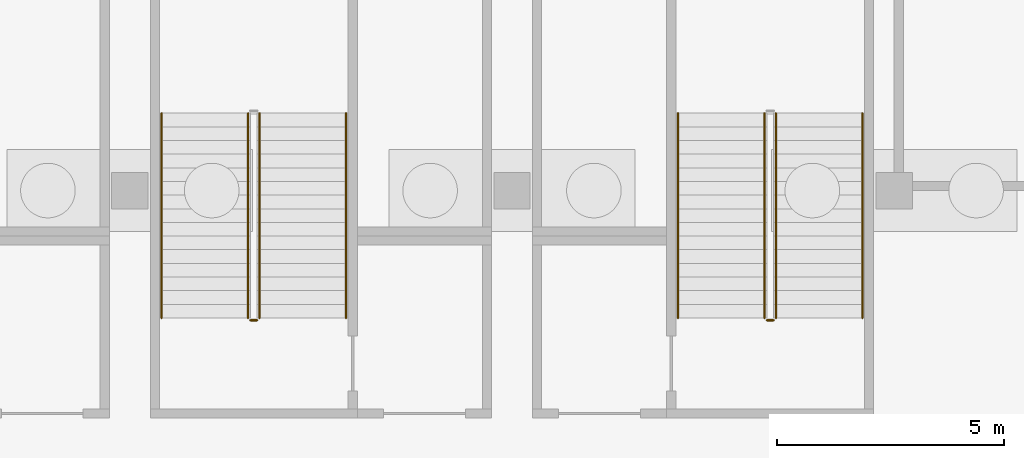
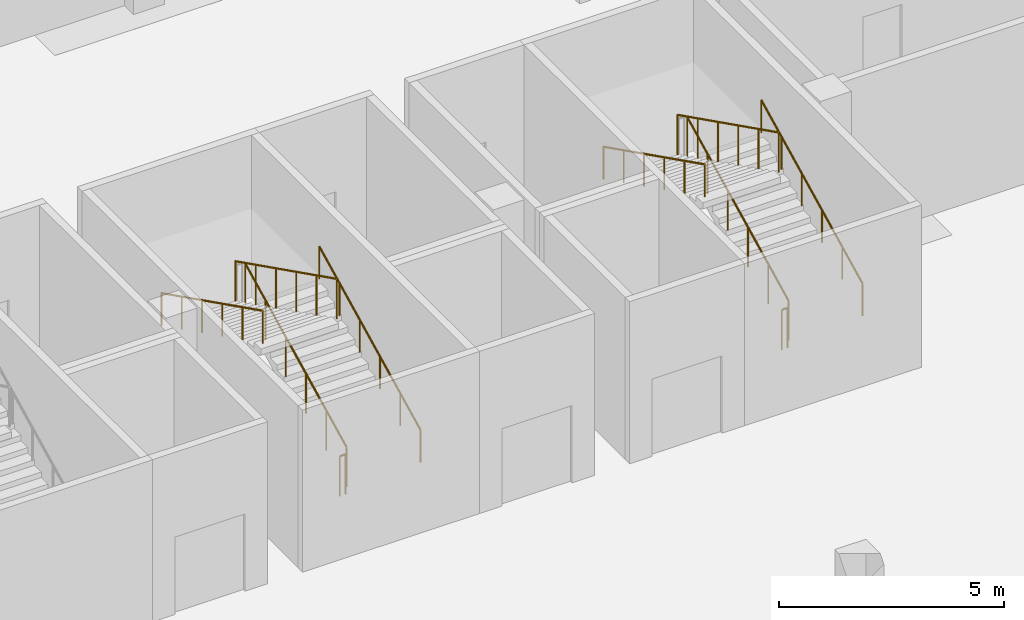
# One storey, part 37 of 46: 10 railings.
"""IFC4 building model written with IfcOpenShell, lengths in metres."""

import ifcopenshell
import ifcopenshell.guid

model = None  # the IFC model being written
_history = None  # IfcOwnerHistory: only IFC2X3 demands one
_inside = {}  # id of a spatial element -> (the spatial element, [elements in it])
_under = {}  # id of a project, library or spatial element -> (it, [spatial elements below it])
_declared = {}  # id of a project -> (the project, [libraries it declares])
_typed = {}  # id of a type object -> (the type object, [elements of that type])
_made_of = {}  # id of a material, layer set ... -> (it, [elements and type objects made of it])


def new_model(schema):
    """Start an empty IFC model of exactly this schema.

    Asked for "IFC4X3", IfcOpenShell would pick the latest addendum, in which some entities
    have other attributes; the version numbers below select the first issue.
    IFC2X3 requires an IfcOwnerHistory on every rooted entity: one is made here for all.
    """
    global model, _history
    if schema == "IFC4X3":
        model = ifcopenshell.file(schema_version=(4, 3, 0, 0))
    else:
        model = ifcopenshell.file(schema=schema)
    _inside.clear()
    _under.clear()
    _declared.clear()
    _typed.clear()
    _made_of.clear()
    _history = None
    if model.schema == "IFC2X3":
        org = make("IfcOrganization", Name="unknown")
        user = make(
            "IfcPersonAndOrganization",
            ThePerson=make("IfcPerson", FamilyName="unknown"),
            TheOrganization=org,
        )
        app = make(
            "IfcApplication",
            ApplicationDeveloper=org,
            Version="unknown",
            ApplicationFullName="unknown",
            ApplicationIdentifier="unknown",
        )
        _history = make(
            "IfcOwnerHistory",
            OwningUser=user,
            OwningApplication=app,
            ChangeAction="ADDED",
            CreationDate=0,
        )
    return model


def make(cls, **values):
    """One entity of the class cls with the attributes given. An attribute that is None is left unset."""
    return model.create_entity(
        cls, **{name: value for name, value in values.items() if value is not None}
    )


def rooted(cls, **values):
    """An entity with a GlobalId (a new one), such as an element, a storey or a relation."""
    return make(cls, GlobalId=ifcopenshell.guid.new(), OwnerHistory=_history, **values)


def si_unit(unit_type, name, prefix=None):
    """IfcSIUnit, for example si_unit("LENGTHUNIT", "METRE", prefix="MILLI")."""
    return make("IfcSIUnit", UnitType=unit_type, Prefix=prefix, Name=name)


def assignment(units):
    """IfcUnitAssignment: the units of a project."""
    return None if units is None else make("IfcUnitAssignment", Units=units)


def point(xyz):
    """IfcCartesianPoint."""
    return None if xyz is None else make("IfcCartesianPoint", Coordinates=xyz)


def direction(xyz):
    """IfcDirection."""
    return None if xyz is None else make("IfcDirection", DirectionRatios=xyz)


def frame(location, z_axis=None, x_axis=None):
    """IfcAxis2Placement3D, a coordinate frame: its origin and axes. An axis left out is left unset."""
    return make(
        "IfcAxis2Placement3D",
        Location=point(location),
        Axis=direction(z_axis),
        RefDirection=direction(x_axis),
    )


def frame_2d(location, x_axis=None):
    """IfcAxis2Placement2D, a coordinate frame in the plane: its origin and x axis."""
    return make(
        "IfcAxis2Placement2D", Location=point(location), RefDirection=direction(x_axis)
    )


def origin():
    """The frame at (0, 0, 0) with its axes left unset."""
    return frame((0.0, 0.0, 0.0))


def origin_2d():
    """The frame at (0, 0) in the plane with its x axis left unset."""
    return frame_2d((0.0, 0.0))


def place(relative_to, where):
    """IfcLocalPlacement: puts the frame where relative to a parent placement (None: the world)."""
    return make(
        "IfcLocalPlacement", PlacementRelTo=relative_to, RelativePlacement=where
    )


def context(
    kind, dimensions, precision=None, world=None, true_north=None, identifier=None
):
    """IfcGeometricRepresentationContext, for example the 3D "Model" context."""
    return make(
        "IfcGeometricRepresentationContext",
        ContextIdentifier=identifier,
        ContextType=kind,
        CoordinateSpaceDimension=dimensions,
        Precision=precision,
        WorldCoordinateSystem=world,
        TrueNorth=true_north,
    )


def subcontext(parent, identifier, kind, view, scale=None):
    """IfcGeometricRepresentationSubContext, for example "Body" below "Model"."""
    return make(
        "IfcGeometricRepresentationSubContext",
        ContextIdentifier=identifier,
        ContextType=kind,
        ParentContext=parent,
        TargetScale=scale,
        TargetView=view,
    )


def project(units=None, contexts=None):
    """IfcProject with its units and contexts."""
    return rooted(
        "IfcProject",
        Name="project",
        RepresentationContexts=contexts,
        UnitsInContext=assignment(units),
    )


def spatial(cls, under=None, at=None, **own):
    """A site, building, storey or space (cls), placed at a placement, below another one or the project."""
    s = rooted(cls, ObjectPlacement=at, **own)
    if under is not None:
        _under.setdefault(under.id(), (under, []))[1].append(s)
    return s


def profile(cls, at=None, kind="AREA", **sizes):
    """A parametric profile (cls). Its sizes go by their IFC names, for example OverallWidth=200.0."""
    return make(cls, ProfileType=kind, Position=at, **sizes)


def circle(**sizes):
    """IfcCircleProfileDef."""
    return profile("IfcCircleProfileDef", **sizes)


def extrude(swept, where, along, depth):
    """IfcExtrudedAreaSolid: the profile swept, set in the frame where, extruded along a direction by depth."""
    return make(
        "IfcExtrudedAreaSolid",
        SweptArea=swept,
        Position=where,
        ExtrudedDirection=direction(along),
        Depth=depth,
    )


def shape(context_of_items, identifier, shape_type, items):
    """IfcShapeRepresentation: the items that make up one representation, for example the "Body"."""
    return make(
        "IfcShapeRepresentation",
        ContextOfItems=context_of_items,
        RepresentationIdentifier=identifier,
        RepresentationType=shape_type,
        Items=items,
    )


def material(Name=None, Category=None):
    """IfcMaterial."""
    return make("IfcMaterial", Name=Name, Category=Category)


def made_of(thing, what):
    """Note that an element or type object is made of a material, layer set ...; save() writes the relation."""
    if what is not None:
        _made_of.setdefault(what.id(), (what, []))[1].append(thing)
    return thing


def type_object(cls, material=None, **own):
    """A type object (cls), such as IfcWallType, which elements share."""
    return made_of(rooted(cls, **own), material)


def element(
    cls,
    number,
    at=None,
    inside=None,
    cuts=None,
    type_object=None,
    material=None,
    context=None,
    identifier="Body",
    shape_type=None,
    held_by="IfcProductDefinitionShape",
    body=None,
    shapes=None,
    **own,
):
    """One element of the class cls, such as IfcWall. Its Tag is "e" and its number.

    at: its placement. inside: the storey or other place that contains it. cuts: it is an
    opening in that element (IfcRelVoidsElement). A single representation is given by context,
    identifier, shape_type and body (its items); several are given by shapes. held_by: the class
    of the entity that holds the representations. save() writes the other relations.
    """
    e = rooted(cls, Tag="e%d" % number, ObjectPlacement=at, **own)
    if body is not None:
        shapes = [shape(context, identifier, shape_type, body)]
    if shapes is not None:
        e.Representation = make(held_by, Representations=shapes)
    if inside is not None:
        _inside.setdefault(inside.id(), (inside, []))[1].append(e)
    if cuts is not None:
        rooted(
            "IfcRelVoidsElement", RelatingBuildingElement=cuts, RelatedOpeningElement=e
        )
    if type_object is not None:
        _typed.setdefault(type_object.id(), (type_object, []))[1].append(e)
    return made_of(e, material)


def aggregate(whole, parts):
    """IfcRelAggregates: a whole, such as a stair, and the parts it consists of."""
    return rooted("IfcRelAggregates", RelatingObject=whole, RelatedObjects=parts)


def save(model, path):
    """Write the relations noted so far, then the file.

    IfcRelAggregates (storeys below a building ...), IfcRelContainedInSpatialStructure (elements
    in a storey), IfcRelDefinesByType, IfcRelAssociatesMaterial and IfcRelDeclares: one each for
    every whole, place, type object, material and project.
    """
    for whole, parts in _under.values():
        aggregate(whole, parts)
    for where, things in _inside.values():
        rooted(
            "IfcRelContainedInSpatialStructure",
            RelatedElements=things,
            RelatingStructure=where,
        )
    for kind, things in _typed.values():
        rooted("IfcRelDefinesByType", RelatedObjects=things, RelatingType=kind)
    for what, things in _made_of.values():
        rooted("IfcRelAssociatesMaterial", RelatedObjects=things, RelatingMaterial=what)
    for by, libraries in _declared.values():
        rooted("IfcRelDeclares", RelatingContext=by, RelatedDefinitions=libraries)
    model.write(path)


model = new_model("IFC4")

# Units and contexts
model_context = context("Model", 3, precision=1e-05, world=origin(), true_north=direction((0.0, 1.0)))
body_context = subcontext(model_context, "Body", "Model", "MODEL_VIEW")
ifc_project = project(units=[si_unit("LENGTHUNIT", "METRE"), si_unit("AREAUNIT", "SQUARE_METRE"), si_unit("VOLUMEUNIT", "CUBIC_METRE"), si_unit("PLANEANGLEUNIT", "RADIAN"), si_unit("MASSUNIT", "GRAM", prefix="KILO")], contexts=[model_context])

# Site, building, storey
site_placement = place(None, origin())
site = spatial("IfcSite", under=ifc_project, at=site_placement, CompositionType="ELEMENT")
building_placement = place(site_placement, origin())
building = spatial("IfcBuilding", under=site, at=building_placement, Name="Tamra Quay Hotel Tower", CompositionType="ELEMENT")
storey_placement = place(building_placement, frame((0.0, 0.0, -12.0)))
storey = spatial("IfcBuildingStorey", under=building, at=storey_placement, Name="B3", CompositionType="ELEMENT", Elevation=-12.0)

# Railings
ifc_material_1 = material(Name="Basement stair guard 1100")
railing_type_1 = type_object("IfcRailingType", Name="Basement stair guard 1100", PredefinedType="GUARDRAIL", material=ifc_material_1)
railing_1_placement = place(storey_placement, frame((-52.64990234375, 45.199951171875, 0.14990234375)))
element("IfcRailing", 1, at=railing_1_placement, inside=storey, type_object=railing_type_1, Name="BSG", PredefinedType="GUARDRAIL", context=body_context, shape_type="SweptSolid", body=[
    extrude(circle(Radius=0.02392578125, at=origin_2d()), frame((0.0, 0.0, 1.076171875), z_axis=(0.0, 0.894427191, 0.4472135955), x_axis=(-1.0, 0.0, 0.0)), (0.0, 0.0, 1.0), 5.03125),
    extrude(circle(Radius=0.02099609375, at=origin_2d()), origin(), (0.0, 0.0, 1.0), 1.052001953125),
    extrude(circle(Radius=0.02099609375, at=origin_2d()), frame((0.0, 0.89990234375, 0.449951171875)), (0.0, 0.0, 1.0), 1.052001953125),
    extrude(circle(Radius=0.02099609375, at=origin_2d()), frame((0.0, 1.800048828125, 0.89990234375)), (0.0, 0.0, 1.0), 1.052001953125),
    extrude(circle(Radius=0.02099609375, at=origin_2d()), frame((0.0, 2.699951171875, 1.35009765625)), (0.0, 0.0, 1.0), 1.052001953125),
    extrude(circle(Radius=0.02099609375, at=origin_2d()), frame((0.0, 3.60009765625, 1.800048828125)), (0.0, 0.0, 1.0), 1.052001953125),
    extrude(circle(Radius=0.02099609375, at=origin_2d()), frame((0.0, 4.5, 2.25)), (0.0, 0.0, 1.0), 1.052001953125),
])
railing_2_placement = place(storey_placement, frame((-52.89990234375, 49.699951171875, 2.550048828125)))
element("IfcRailing", 2, at=railing_2_placement, inside=storey, type_object=railing_type_1, Name="BSG", PredefinedType="GUARDRAIL", context=body_context, shape_type="SweptSolid", body=[
    extrude(circle(Radius=0.02392578125, at=origin_2d()), frame((0.0, 0.0, 1.076171875), z_axis=(0.0, -0.894427191, 0.4472135955), x_axis=(1.0, 0.0, 0.0)), (0.0, 0.0, 1.0), 5.03125),
    extrude(circle(Radius=0.02099609375, at=origin_2d()), origin(), (0.0, 0.0, 1.0), 1.052001953125),
    extrude(circle(Radius=0.02099609375, at=origin_2d()), frame((0.0, -0.89990234375, 0.449951171875)), (0.0, 0.0, 1.0), 1.052001953125),
    extrude(circle(Radius=0.02099609375, at=origin_2d()), frame((0.0, -1.800048828125, 0.89990234375)), (0.0, 0.0, 1.0), 1.052001953125),
    extrude(circle(Radius=0.02099609375, at=origin_2d()), frame((0.0, -2.699951171875, 1.35009765625)), (0.0, 0.0, 1.0), 1.052001953125),
    extrude(circle(Radius=0.02099609375, at=origin_2d()), frame((0.0, -3.60009765625, 1.800048828125)), (0.0, 0.0, 1.0), 1.052001953125),
    extrude(circle(Radius=0.02099609375, at=origin_2d()), frame((0.0, -4.5, 2.25)), (0.0, 0.0, 1.0), 1.052001953125),
])
railing_3_placement = place(storey_placement, frame((-52.699951171875, 45.14990234375, 0.0)))
element("IfcRailing", 3, at=railing_3_placement, inside=storey, type_object=railing_type_1, Name="BSG", PredefinedType="GUARDRAIL", context=body_context, shape_type="SweptSolid", body=[
    extrude(circle(Radius=0.02392578125, at=origin_2d()), frame((0.0, 0.0, 1.076171875), z_axis=(-1.0, 0.0, 0.0), x_axis=(0.0, -1.0, 0.0)), (0.0, 0.0, 1.0), 0.150146484375),
    extrude(circle(Radius=0.02099609375, at=origin_2d()), origin(), (0.0, 0.0, 1.0), 1.052001953125),
    extrude(circle(Radius=0.02099609375, at=origin_2d()), frame((-0.150146484375, 0.0, 0.0)), (0.0, 0.0, 1.0), 1.052001953125),
])
railing_4_placement = place(storey_placement, frame((-41.300048828125, 45.199951171875, 0.14990234375)))
element("IfcRailing", 4, at=railing_4_placement, inside=storey, type_object=railing_type_1, Name="BSG", PredefinedType="GUARDRAIL", context=body_context, shape_type="SweptSolid", body=[
    extrude(circle(Radius=0.02392578125, at=origin_2d()), frame((0.0, 0.0, 1.076171875), z_axis=(0.0, 0.894427191, 0.4472135955), x_axis=(-1.0, 0.0, 0.0)), (0.0, 0.0, 1.0), 5.03125),
    extrude(circle(Radius=0.02099609375, at=origin_2d()), origin(), (0.0, 0.0, 1.0), 1.052001953125),
    extrude(circle(Radius=0.02099609375, at=origin_2d()), frame((0.0, 0.89990234375, 0.449951171875)), (0.0, 0.0, 1.0), 1.052001953125),
    extrude(circle(Radius=0.02099609375, at=origin_2d()), frame((0.0, 1.800048828125, 0.89990234375)), (0.0, 0.0, 1.0), 1.052001953125),
    extrude(circle(Radius=0.02099609375, at=origin_2d()), frame((0.0, 2.699951171875, 1.35009765625)), (0.0, 0.0, 1.0), 1.052001953125),
    extrude(circle(Radius=0.02099609375, at=origin_2d()), frame((0.0, 3.60009765625, 1.800048828125)), (0.0, 0.0, 1.0), 1.052001953125),
    extrude(circle(Radius=0.02099609375, at=origin_2d()), frame((0.0, 4.5, 2.25)), (0.0, 0.0, 1.0), 1.052001953125),
])
railing_5_placement = place(storey_placement, frame((-41.550048828125, 49.699951171875, 2.550048828125)))
element("IfcRailing", 5, at=railing_5_placement, inside=storey, type_object=railing_type_1, Name="BSG", PredefinedType="GUARDRAIL", context=body_context, shape_type="SweptSolid", body=[
    extrude(circle(Radius=0.02392578125, at=origin_2d()), frame((0.0, 0.0, 1.076171875), z_axis=(0.0, -0.894427191, 0.4472135955), x_axis=(1.0, 0.0, 0.0)), (0.0, 0.0, 1.0), 5.03125),
    extrude(circle(Radius=0.02099609375, at=origin_2d()), origin(), (0.0, 0.0, 1.0), 1.052001953125),
    extrude(circle(Radius=0.02099609375, at=origin_2d()), frame((0.0, -0.89990234375, 0.449951171875)), (0.0, 0.0, 1.0), 1.052001953125),
    extrude(circle(Radius=0.02099609375, at=origin_2d()), frame((0.0, -1.800048828125, 0.89990234375)), (0.0, 0.0, 1.0), 1.052001953125),
    extrude(circle(Radius=0.02099609375, at=origin_2d()), frame((0.0, -2.699951171875, 1.35009765625)), (0.0, 0.0, 1.0), 1.052001953125),
    extrude(circle(Radius=0.02099609375, at=origin_2d()), frame((0.0, -3.60009765625, 1.800048828125)), (0.0, 0.0, 1.0), 1.052001953125),
    extrude(circle(Radius=0.02099609375, at=origin_2d()), frame((0.0, -4.5, 2.25)), (0.0, 0.0, 1.0), 1.052001953125),
])
railing_6_placement = place(storey_placement, frame((-41.35009765625, 45.14990234375, 0.0)))
element("IfcRailing", 6, at=railing_6_placement, inside=storey, type_object=railing_type_1, Name="BSG", PredefinedType="GUARDRAIL", context=body_context, shape_type="SweptSolid", body=[
    extrude(circle(Radius=0.02392578125, at=origin_2d()), frame((0.0, 0.0, 1.076171875), z_axis=(-1.0, 0.0, 0.0), x_axis=(0.0, -1.0, 0.0)), (0.0, 0.0, 1.0), 0.14990234375),
    extrude(circle(Radius=0.02099609375, at=origin_2d()), origin(), (0.0, 0.0, 1.0), 1.052001953125),
    extrude(circle(Radius=0.02099609375, at=origin_2d()), frame((-0.14990234375, 0.0, 0.0)), (0.0, 0.0, 1.0), 1.052001953125),
])
ifc_material_2 = material(Name="Basement stair handrail 900")
railing_type_2 = type_object("IfcRailingType", Name="Basement stair handrail 900", PredefinedType="HANDRAIL", material=ifc_material_2)
railing_7_placement = place(storey_placement, frame((-50.75, 45.199951171875, 0.14990234375)))
element("IfcRailing", 7, at=railing_7_placement, inside=storey, type_object=railing_type_2, Name="BSH", PredefinedType="HANDRAIL", context=body_context, shape_type="SweptSolid", body=[
    extrude(circle(Radius=0.02392578125, at=origin_2d()), frame((0.0, 0.0, 0.8759765625), z_axis=(0.0, 0.894427191, 0.4472135955), x_axis=(-1.0, 0.0, 0.0)), (0.0, 0.0, 1.0), 5.03125),
    extrude(circle(Radius=0.02099609375, at=origin_2d()), origin(), (0.0, 0.0, 1.0), 0.851806640625),
    extrude(circle(Radius=0.02099609375, at=origin_2d()), frame((0.0, 0.89990234375, 0.449951171875)), (0.0, 0.0, 1.0), 0.851806640625),
    extrude(circle(Radius=0.02099609375, at=origin_2d()), frame((0.0, 1.800048828125, 0.89990234375)), (0.0, 0.0, 1.0), 0.851806640625),
    extrude(circle(Radius=0.02099609375, at=origin_2d()), frame((0.0, 2.699951171875, 1.35009765625)), (0.0, 0.0, 1.0), 0.851806640625),
    extrude(circle(Radius=0.02099609375, at=origin_2d()), frame((0.0, 3.60009765625, 1.800048828125)), (0.0, 0.0, 1.0), 0.851806640625),
    extrude(circle(Radius=0.02099609375, at=origin_2d()), frame((0.0, 4.5, 2.25)), (0.0, 0.0, 1.0), 0.851806640625),
])
railing_8_placement = place(storey_placement, frame((-54.800048828125, 49.699951171875, 2.550048828125)))
element("IfcRailing", 8, at=railing_8_placement, inside=storey, type_object=railing_type_2, Name="BSH", PredefinedType="HANDRAIL", context=body_context, shape_type="SweptSolid", body=[
    extrude(circle(Radius=0.02392578125, at=origin_2d()), frame((0.0, 0.0, 0.8759765625), z_axis=(0.0, -0.894427191, 0.4472135955), x_axis=(1.0, 0.0, 0.0)), (0.0, 0.0, 1.0), 5.03125),
    extrude(circle(Radius=0.02099609375, at=origin_2d()), origin(), (0.0, 0.0, 1.0), 0.851806640625),
    extrude(circle(Radius=0.02099609375, at=origin_2d()), frame((0.0, -0.89990234375, 0.449951171875)), (0.0, 0.0, 1.0), 0.851806640625),
    extrude(circle(Radius=0.02099609375, at=origin_2d()), frame((0.0, -1.800048828125, 0.89990234375)), (0.0, 0.0, 1.0), 0.851806640625),
    extrude(circle(Radius=0.02099609375, at=origin_2d()), frame((0.0, -2.699951171875, 1.35009765625)), (0.0, 0.0, 1.0), 0.851806640625),
    extrude(circle(Radius=0.02099609375, at=origin_2d()), frame((0.0, -3.60009765625, 1.800048828125)), (0.0, 0.0, 1.0), 0.851806640625),
    extrude(circle(Radius=0.02099609375, at=origin_2d()), frame((0.0, -4.5, 2.25)), (0.0, 0.0, 1.0), 0.851806640625),
])
railing_9_placement = place(storey_placement, frame((-39.39990234375, 45.199951171875, 0.14990234375)))
element("IfcRailing", 9, at=railing_9_placement, inside=storey, type_object=railing_type_2, Name="BSH", PredefinedType="HANDRAIL", context=body_context, shape_type="SweptSolid", body=[
    extrude(circle(Radius=0.02392578125, at=origin_2d()), frame((0.0, 0.0, 0.8759765625), z_axis=(0.0, 0.894427191, 0.4472135955), x_axis=(-1.0, 0.0, 0.0)), (0.0, 0.0, 1.0), 5.03125),
    extrude(circle(Radius=0.02099609375, at=origin_2d()), origin(), (0.0, 0.0, 1.0), 0.851806640625),
    extrude(circle(Radius=0.02099609375, at=origin_2d()), frame((0.0, 0.89990234375, 0.449951171875)), (0.0, 0.0, 1.0), 0.851806640625),
    extrude(circle(Radius=0.02099609375, at=origin_2d()), frame((0.0, 1.800048828125, 0.89990234375)), (0.0, 0.0, 1.0), 0.851806640625),
    extrude(circle(Radius=0.02099609375, at=origin_2d()), frame((0.0, 2.699951171875, 1.35009765625)), (0.0, 0.0, 1.0), 0.851806640625),
    extrude(circle(Radius=0.02099609375, at=origin_2d()), frame((0.0, 3.60009765625, 1.800048828125)), (0.0, 0.0, 1.0), 0.851806640625),
    extrude(circle(Radius=0.02099609375, at=origin_2d()), frame((0.0, 4.5, 2.25)), (0.0, 0.0, 1.0), 0.851806640625),
])
railing_10_placement = place(storey_placement, frame((-43.449951171875, 49.699951171875, 2.550048828125)))
element("IfcRailing", 10, at=railing_10_placement, inside=storey, type_object=railing_type_2, Name="BSH", PredefinedType="HANDRAIL", context=body_context, shape_type="SweptSolid", body=[
    extrude(circle(Radius=0.02392578125, at=origin_2d()), frame((0.0, 0.0, 0.8759765625), z_axis=(0.0, -0.894427191, 0.4472135955), x_axis=(1.0, 0.0, 0.0)), (0.0, 0.0, 1.0), 5.03125),
    extrude(circle(Radius=0.02099609375, at=origin_2d()), origin(), (0.0, 0.0, 1.0), 0.851806640625),
    extrude(circle(Radius=0.02099609375, at=origin_2d()), frame((0.0, -0.89990234375, 0.449951171875)), (0.0, 0.0, 1.0), 0.851806640625),
    extrude(circle(Radius=0.02099609375, at=origin_2d()), frame((0.0, -1.800048828125, 0.89990234375)), (0.0, 0.0, 1.0), 0.851806640625),
    extrude(circle(Radius=0.02099609375, at=origin_2d()), frame((0.0, -2.699951171875, 1.35009765625)), (0.0, 0.0, 1.0), 0.851806640625),
    extrude(circle(Radius=0.02099609375, at=origin_2d()), frame((0.0, -3.60009765625, 1.800048828125)), (0.0, 0.0, 1.0), 0.851806640625),
    extrude(circle(Radius=0.02099609375, at=origin_2d()), frame((0.0, -4.5, 2.25)), (0.0, 0.0, 1.0), 0.851806640625),
])

save(model, "model.ifc")
